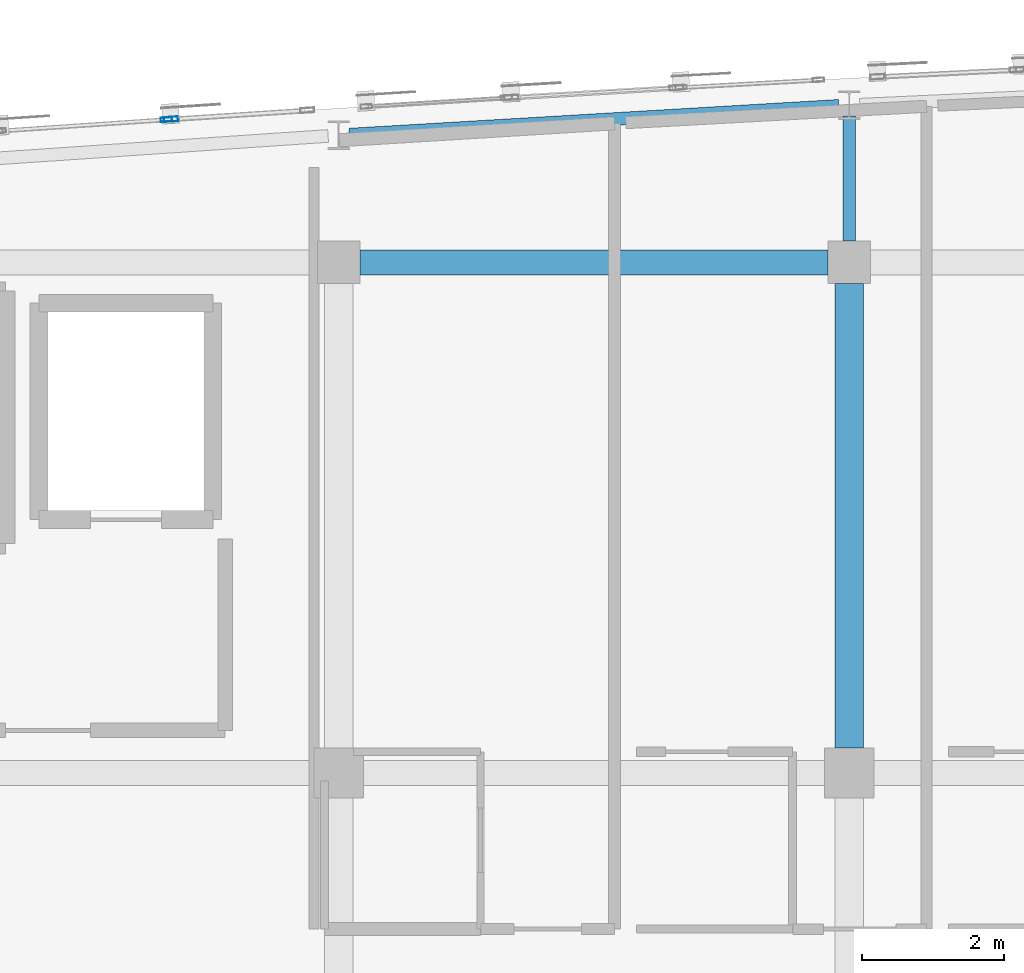
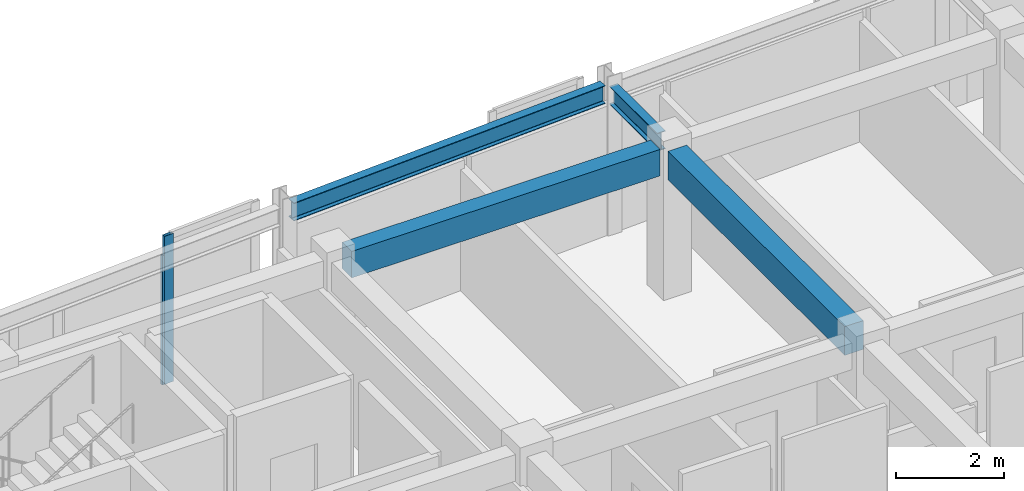
# One storey, part 11 of 48: 4 beams, 2 members, 2 elements without a shape of their own.
"""IFC4 building model written with IfcOpenShell, lengths in metres."""

from ifc_helpers import new_model, si_unit, direction, frame, origin, origin_2d, place, context, subcontext, project, spatial, rectangle, hollow_rectangle, i_section, extrude, material, layer, layer_set, material_profile, profile_set, type_object, element, aggregate, save


model = new_model("IFC4")

# Units and contexts
model_context = context("Model", 3, precision=1e-05, world=origin(), true_north=direction((0.0, 1.0)))
body_context = subcontext(model_context, "Body", "Model", "MODEL_VIEW")
ifc_project = project(units=[si_unit("LENGTHUNIT", "METRE"), si_unit("AREAUNIT", "SQUARE_METRE"), si_unit("VOLUMEUNIT", "CUBIC_METRE"), si_unit("PLANEANGLEUNIT", "RADIAN"), si_unit("MASSUNIT", "GRAM", prefix="KILO")], contexts=[model_context])

# Site, building, storey
site_placement = place(None, origin())
site = spatial("IfcSite", under=ifc_project, at=site_placement, CompositionType="ELEMENT")
building_placement = place(site_placement, origin())
building = spatial("IfcBuilding", under=site, at=building_placement, Name="Carrowvane Square Congress Hotel", CompositionType="ELEMENT")
storey_placement = place(building_placement, frame((0.0, 0.0, 26.39990234375)))
storey = spatial("IfcBuildingStorey", under=building, at=storey_placement, Name="L06", CompositionType="ELEMENT", Elevation=26.39990234375)

# Beams
ifc_material_1 = material(Name="Concrete C35/45", Category="concrete")
ifc_material_profile_1 = material_profile(ifc_material_1, rectangle(XDim=0.35009765625, YDim=0.60009765625, at=origin_2d()), Name="RC 350x600")
ifc_profile_set_1 = profile_set([ifc_material_profile_1], Name="Concrete C35/45")
beam_type_1 = type_object("IfcBeamType", Name="BM-RC-350x600", PredefinedType="BEAM", material=ifc_profile_set_1)
beam_1_placement = place(storey_placement, frame((69.5, 113.39990234375, 3.050048828125), z_axis=(1.0, 0.0, 0.0), x_axis=(0.0, 1.0, 0.0)))
element("IfcBeam", 1, at=beam_1_placement, inside=storey, type_object=beam_type_1, Name="L07 girder R/9-10", PredefinedType="BEAM", context=body_context, shape_type="SweptSolid", body=[
    extrude(rectangle(XDim=0.35009765625, YDim=0.60009765625, at=origin_2d()), origin(), (0.0, 0.0, 1.0), 6.60009765625),
])
ifc_material_2 = material(Name="Concrete C35/45", Category="concrete")
ifc_material_profile_2 = material_profile(ifc_material_2, rectangle(XDim=0.39990234375, YDim=0.64990234375, at=origin_2d()), Name="RC 400x650")
ifc_profile_set_2 = profile_set([ifc_material_profile_2], Name="Concrete C35/45")
beam_type_2 = type_object("IfcBeamType", Name="BM-RC-400x650", PredefinedType="BEAM", material=ifc_profile_set_2)
beam_2_placement = place(storey_placement, frame((76.39990234375, 106.550048828125, 3.025146484375), z_axis=(0.0, 1.0, 0.0), x_axis=(-1.0, 0.0, 0.0)))
element("IfcBeam", 2, at=beam_2_placement, inside=storey, type_object=beam_type_2, Name="L07 girder 10/Q-R", PredefinedType="BEAM", context=body_context, shape_type="SweptSolid", body=[
    extrude(rectangle(XDim=0.39990234375, YDim=0.64990234375, at=origin_2d()), origin(), (0.0, 0.0, 1.0), 6.550048828125),
])
ifc_material_3 = material(Name="Steel S355", Category="steel")
ifc_material_profile_3 = material_profile(ifc_material_3, i_section(OverallWidth=0.1787109375, OverallDepth=0.409423828125, WebThickness=0.0087890625, FlangeThickness=0.014404296875, FilletRadius=0.01025390625, at=origin_2d()), Name="UKB 406x178x67")
ifc_profile_set_3 = profile_set([ifc_material_profile_3], Name="Steel S355")
beam_type_3 = type_object("IfcBeamType", Name="BM-ST-UKB406", PredefinedType="BEAM", material=ifc_profile_set_3)
beam_3_placement = place(storey_placement, frame((69.349853515625, 115.203125, 3.1455078125), z_axis=(0.99827559088, 0.058701317296, 0.0), x_axis=(-0.058701317296, 0.99827559088, 0.0)))
element("IfcBeam", 3, at=beam_3_placement, inside=storey, type_object=beam_type_3, Name="L07 curved north spandrel", PredefinedType="BEAM", context=body_context, shape_type="SweptSolid", body=[
    extrude(i_section(OverallWidth=0.1787109375, OverallDepth=0.409423828125, WebThickness=0.0087890625, FlangeThickness=0.014404296875, FilletRadius=0.01025390625, at=origin_2d()), origin(), (0.0, 0.0, 1.0), 6.912353515625),
])
beam_4_placement = place(storey_placement, frame((76.39990234375, 113.699951171875, 3.1455078125), z_axis=(0.0, 1.0, 0.0), x_axis=(-1.0, 0.0, 0.0)))
element("IfcBeam", 4, at=beam_4_placement, inside=storey, type_object=beam_type_3, Name="L07 radial north beam 10", PredefinedType="BEAM", context=body_context, shape_type="SweptSolid", body=[
    extrude(i_section(OverallWidth=0.1787109375, OverallDepth=0.409423828125, WebThickness=0.0087890625, FlangeThickness=0.014404296875, FilletRadius=0.01025390625, at=origin_2d()), origin(), (0.0, 0.0, 1.0), 1.767578125),
])

# Curtain wall, member
ifc_material_4 = material(Name="Anodised aluminium", Category="aluminium")
ifc_layer_1 = layer(ifc_material_4, 0.162109375)
ifc_layer_set_1 = layer_set([ifc_layer_1], Name="Anodised aluminium")
curtain_wall_type_1 = type_object("IfcCurtainWallType", Name="CW-SYS-1", PredefinedType="NOTDEFINED", material=ifc_layer_set_1)
curtain_wall_1_placement = place(storey_placement, origin())
curtain_wall_1 = element("IfcCurtainWall", 5, at=curtain_wall_1_placement, inside=storey, type_object=curtain_wall_type_1, Name="L06 unitised curtain wall 368", PredefinedType="NOTDEFINED")
ifc_material_5 = material(Name="Anodised aluminium", Category="aluminium")
ifc_material_profile_4 = material_profile(ifc_material_5, hollow_rectangle(XDim=0.06005859375, YDim=0.159912109375, WallThickness=0.00390625, at=origin_2d()), Name="CW-ML 60x160x4")
ifc_profile_set_4 = profile_set([ifc_material_profile_4], Name="Anodised aluminium")
member_type_1 = type_object("IfcMemberType", Name="CW-MUL-1", PredefinedType="MULLION", material=ifc_profile_set_4)
member_1_placement = place(storey_placement, frame((66.77001953125, 115.4150390625, 0.0), z_axis=(0.0, 0.0, 1.0), x_axis=(-0.067865424104, 0.997694484404, 0.0)))
member_1 = element("IfcMember", 6, at=member_1_placement, type_object=member_type_1, Name="CW-1 mullion 2", PredefinedType="MULLION", context=body_context, shape_type="SweptSolid", body=[
    extrude(hollow_rectangle(XDim=0.06005859375, YDim=0.159912109375, WallThickness=0.00390625, at=origin_2d()), origin(), (0.0, 0.0, 1.0), 2.92578125),
])
aggregate(curtain_wall_1, [member_1])

ifc_material_6 = material(Name="Anodised aluminium", Category="aluminium")
ifc_layer_2 = layer(ifc_material_6, 0.174072265625)
ifc_layer_set_2 = layer_set([ifc_layer_2], Name="Anodised aluminium")
curtain_wall_type_2 = type_object("IfcCurtainWallType", Name="CW-SYS-2", PredefinedType="NOTDEFINED", material=ifc_layer_set_2)
curtain_wall_2_placement = place(storey_placement, origin())
curtain_wall_2 = element("IfcCurtainWall", 7, at=curtain_wall_2_placement, inside=storey, type_object=curtain_wall_type_2, Name="L06 unitised curtain wall 369", PredefinedType="NOTDEFINED")
ifc_material_7 = material(Name="Anodised aluminium", Category="aluminium")
ifc_material_profile_5 = material_profile(ifc_material_7, hollow_rectangle(XDim=0.070068359375, YDim=0.199951171875, WallThickness=0.0048828125, at=origin_2d()), Name="CW-ML 70x200x5")
ifc_profile_set_5 = profile_set([ifc_material_profile_5], Name="Anodised aluminium")
member_type_2 = type_object("IfcMemberType", Name="CW-MUL-2", PredefinedType="MULLION", material=ifc_profile_set_5)
member_2_placement = place(storey_placement, frame((66.8349609375, 115.419189453125, 0.0), z_axis=(0.0, 0.0, 1.0), x_axis=(-0.065412223074, 0.997858327155, 0.0)))
member_2 = element("IfcMember", 8, at=member_2_placement, type_object=member_type_2, Name="CW-2 mullion 1", PredefinedType="MULLION", context=body_context, shape_type="SweptSolid", body=[
    extrude(hollow_rectangle(XDim=0.070068359375, YDim=0.199951171875, WallThickness=0.0048828125, at=origin_2d()), origin(), (0.0, 0.0, 1.0), 3.35009765625),
])
aggregate(curtain_wall_2, [member_2])

save(model, "model.ifc")
